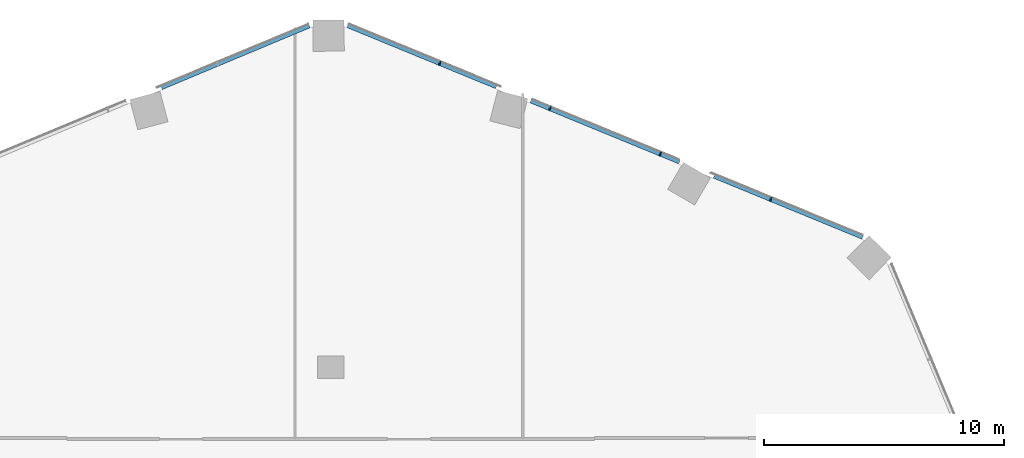
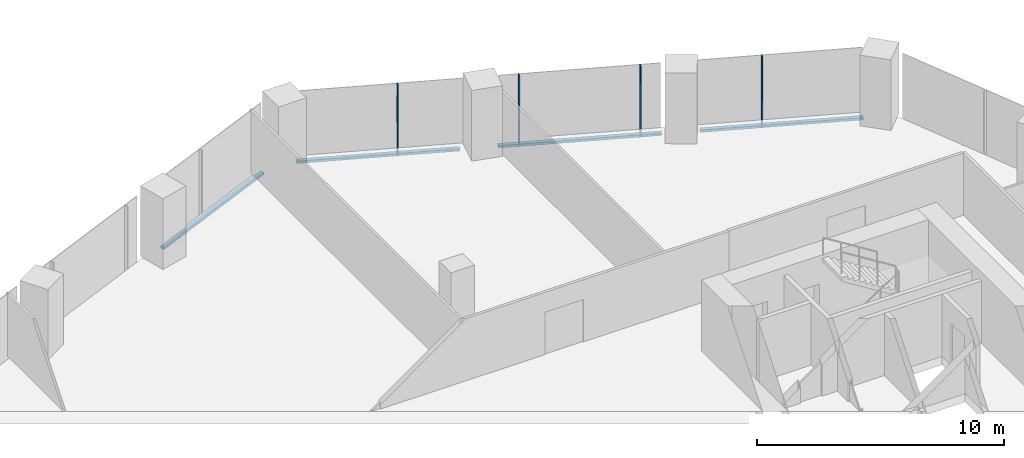
# One storey, part 13 of 34: 8 members, 2 elements without a shape of their own.
"""IFC4 building model written with IfcOpenShell, lengths in metres."""

from ifc_helpers import new_model, si_unit, direction, frame, origin, origin_2d, place, context, subcontext, project, spatial, rectangle, extrude, material, material_profile, profile_set, type_object, element, aggregate, save


model = new_model("IFC4")

# Units and contexts
model_context = context("Model", 3, precision=1e-05, world=origin(), true_north=direction((0.0, 1.0)))
body_context = subcontext(model_context, "Body", "Model", "MODEL_VIEW")
ifc_project = project(units=[si_unit("LENGTHUNIT", "METRE"), si_unit("AREAUNIT", "SQUARE_METRE"), si_unit("VOLUMEUNIT", "CUBIC_METRE"), si_unit("PLANEANGLEUNIT", "RADIAN"), si_unit("MASSUNIT", "GRAM", prefix="KILO")], contexts=[model_context])

# Site, building, storey
site_placement = place(None, origin())
site = spatial("IfcSite", under=ifc_project, at=site_placement, CompositionType="ELEMENT")
building_placement = place(site_placement, origin())
building = spatial("IfcBuilding", under=site, at=building_placement, Name="Orlundy Tower", CompositionType="ELEMENT")
storey_placement = place(building_placement, frame((0.0, 0.0, 105.699951171875)))
storey = spatial("IfcBuildingStorey", under=building, at=storey_placement, Name="L26", CompositionType="ELEMENT", Elevation=105.699951171875)

# Curtain wall, members
ifc_material_1 = material(Name="Aluminium bronze anodised", Category="aluminium")
curtain_wall_type = type_object("IfcCurtainWallType", Name="CW1 wall", PredefinedType="NOTDEFINED", material=ifc_material_1)
curtain_wall_1_placement = place(storey_placement, origin())
curtain_wall_1 = element("IfcCurtainWall", 1, at=curtain_wall_1_placement, inside=storey, type_object=curtain_wall_type, Name="CW1 run 016", PredefinedType="NOTDEFINED")
ifc_material_2 = material(Name="Aluminium bronze anodised", Category="aluminium")
ifc_material_profile_1 = material_profile(ifc_material_2, rectangle(XDim=0.179931640625, YDim=0.050048828125, at=origin_2d()), Name="CW1 mullion 50x180")
ifc_profile_set_1 = profile_set([ifc_material_profile_1], Name="Aluminium bronze anodised")
member_type_1 = type_object("IfcMemberType", Name="CW1 mullion 50x180", PredefinedType="MULLION", material=ifc_profile_set_1)
member_1_placement = place(storey_placement, frame((4.537841796875, 30.66650390625, -0.39990234375), z_axis=(0.0, 0.0, 1.0), x_axis=(0.380004927003, 0.924984462277, 0.0)))
member_1 = element("IfcMember", 2, at=member_1_placement, type_object=member_type_1, Name="CW1 mullion 45", PredefinedType="MULLION", context=body_context, shape_type="SweptSolid", body=[
    extrude(rectangle(XDim=0.179931640625, YDim=0.050048828125, at=origin_2d()), origin(), (0.0, 0.0, 1.0), 3.5),
])
member_2_placement = place(storey_placement, frame((9.135498046875, 28.777587890625, -0.39990234375), z_axis=(0.0, 0.0, 1.0), x_axis=(0.380004927003, 0.924984462277, 0.0)))
member_2 = element("IfcMember", 3, at=member_2_placement, type_object=member_type_1, Name="CW1 mullion 46", PredefinedType="MULLION", context=body_context, shape_type="SweptSolid", body=[
    extrude(rectangle(XDim=0.179931640625, YDim=0.050048828125, at=origin_2d()), origin(), (0.0, 0.0, 1.0), 3.5),
])
member_3_placement = place(storey_placement, frame((13.73291015625, 26.888916015625, -0.39990234375), z_axis=(0.0, 0.0, 1.0), x_axis=(0.380004927003, 0.924984462277, 0.0)))
member_3 = element("IfcMember", 4, at=member_3_placement, type_object=member_type_1, Name="CW1 mullion 47", PredefinedType="MULLION", context=body_context, shape_type="SweptSolid", body=[
    extrude(rectangle(XDim=0.179931640625, YDim=0.050048828125, at=origin_2d()), origin(), (0.0, 0.0, 1.0), 3.5),
])
member_4_placement = place(storey_placement, frame((18.33056640625, 25.0, -0.39990234375), z_axis=(0.0, 0.0, 1.0), x_axis=(0.380004927003, 0.924984462277, 0.0)))
member_4 = element("IfcMember", 5, at=member_4_placement, type_object=member_type_1, Name="CW1 mullion 48", PredefinedType="MULLION", context=body_context, shape_type="SweptSolid", body=[
    extrude(rectangle(XDim=0.179931640625, YDim=0.050048828125, at=origin_2d()), origin(), (0.0, 0.0, 1.0), 3.5),
])

# Curtain wall, member
curtain_wall_2_placement = place(storey_placement, origin())
curtain_wall_2 = element("IfcCurtainWall", 6, at=curtain_wall_2_placement, inside=storey, type_object=curtain_wall_type, Name="CW1 run 015", PredefinedType="NOTDEFINED")
ifc_material_3 = material(Name="Aluminium bronze anodised", Category="aluminium")
ifc_material_profile_2 = material_profile(ifc_material_3, rectangle(XDim=0.179931640625, YDim=0.1201171875, at=origin_2d()), Name="CW1 transom 180x120")
ifc_profile_set_2 = profile_set([ifc_material_profile_2], Name="Aluminium bronze anodised")
member_type_2 = type_object("IfcMemberType", Name="CW1 transom 180x120", PredefinedType="USERDEFINED", material=ifc_profile_set_2)
member_5_placement = place(storey_placement, frame((-7.062255859375, 29.659423828125, -0.33984375), z_axis=(0.922761073246, 0.385372549233, 0.0), x_axis=(-0.385372549233, 0.922761073246, 0.0)))
member_5 = element("IfcMember", 7, at=member_5_placement, type_object=member_type_2, Name="CW1 transom", ObjectType="TRANSOM", PredefinedType="USERDEFINED", context=body_context, shape_type="SweptSolid", body=[
    extrude(rectangle(XDim=0.179931640625, YDim=0.1201171875, at=origin_2d()), origin(), (0.0, 0.0, 1.0), 6.684326171875),
])
aggregate(curtain_wall_2, [member_5])

# Member
member_6_placement = place(storey_placement, frame((0.705810546875, 32.24072265625, -0.33984375), z_axis=(0.924984555997, -0.380004698875, 0.0), x_axis=(0.380004698875, 0.924984555997, 0.0)))
member_6 = element("IfcMember", 8, at=member_6_placement, type_object=member_type_2, Name="CW1 transom", ObjectType="TRANSOM", PredefinedType="USERDEFINED", context=body_context, shape_type="SweptSolid", body=[
    extrude(rectangle(XDim=0.179931640625, YDim=0.1201171875, at=origin_2d()), origin(), (0.0, 0.0, 1.0), 6.69189453125),
])

member_7_placement = place(storey_placement, frame((8.338134765625, 29.105224609375, -0.33984375), z_axis=(0.924985943317, -0.380001321927, 0.0), x_axis=(0.380001321927, 0.924985943317, 0.0)))
member_7 = element("IfcMember", 9, at=member_7_placement, type_object=member_type_2, Name="CW1 transom", ObjectType="TRANSOM", PredefinedType="USERDEFINED", context=body_context, shape_type="SweptSolid", body=[
    extrude(rectangle(XDim=0.179931640625, YDim=0.1201171875, at=origin_2d()), origin(), (0.0, 0.0, 1.0), 6.694580078125),
])

member_8_placement = place(storey_placement, frame((15.974853515625, 25.9677734375, -0.33984375), z_axis=(0.924985455705, -0.380002508853, 0.0), x_axis=(0.380002508853, 0.924985455705, 0.0)))
member_8 = element("IfcMember", 10, at=member_8_placement, type_object=member_type_2, Name="CW1 transom", ObjectType="TRANSOM", PredefinedType="USERDEFINED", context=body_context, shape_type="SweptSolid", body=[
    extrude(rectangle(XDim=0.179931640625, YDim=0.1201171875, at=origin_2d()), origin(), (0.0, 0.0, 1.0), 6.688720703125),
])

aggregate(curtain_wall_1, [member_1, member_2, member_3, member_4, member_6, member_7, member_8])

save(model, "model.ifc")
